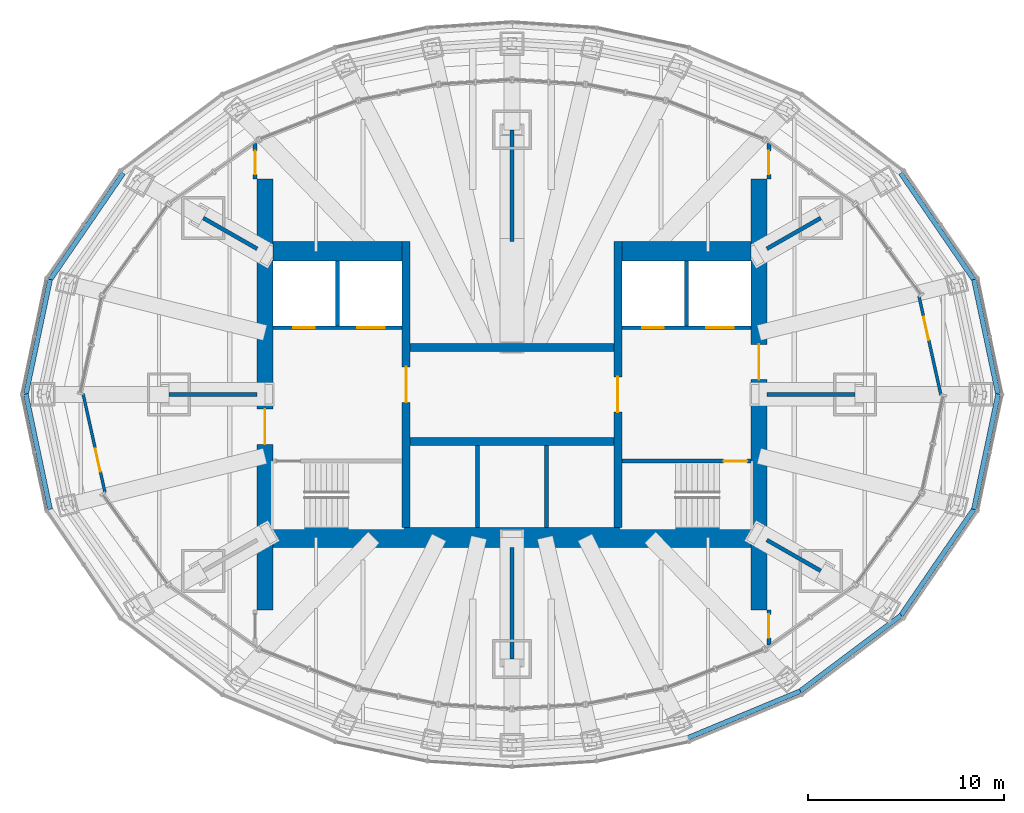
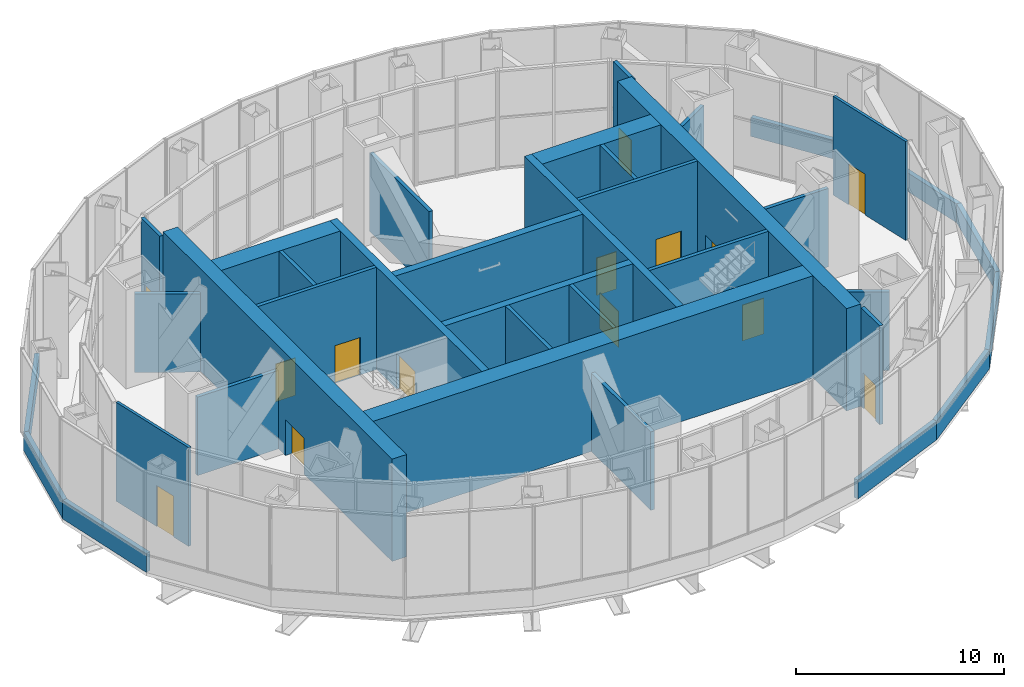
# One storey, part 16 of 21: 37 walls, 14 doors, 14 openings.
"""IFC4 building model written with IfcOpenShell, lengths in metres."""

from ifc_helpers import new_model, si_unit, direction, frame, frame_2d, origin, place, context, subcontext, project, spatial, rectangle, extrude, material, layer, layer_set, type_object, element, fill, save


model = new_model("IFC4")

# Units and contexts
model_context = context("Model", 3, precision=1e-05, world=origin(), true_north=direction((0.0, 1.0)))
body_context = subcontext(model_context, "Body", "Model", "MODEL_VIEW")
ifc_project = project(units=[si_unit("LENGTHUNIT", "METRE"), si_unit("AREAUNIT", "SQUARE_METRE"), si_unit("VOLUMEUNIT", "CUBIC_METRE"), si_unit("PLANEANGLEUNIT", "RADIAN"), si_unit("MASSUNIT", "GRAM", prefix="KILO")], contexts=[model_context])

# Site, building, storey
site_placement = place(None, origin())
site = spatial("IfcSite", under=ifc_project, at=site_placement, CompositionType="ELEMENT")
building_placement = place(site_placement, origin())
building = spatial("IfcBuilding", under=site, at=building_placement, Name="Lantaw Convention Tower", CompositionType="ELEMENT")
storey_placement = place(building_placement, frame((0.0, 0.0, 284.39990234375)))
storey = spatial("IfcBuildingStorey", under=building, at=storey_placement, Name="L66", CompositionType="ELEMENT", Elevation=284.39990234375)

# Walls
ifc_material_1 = material(Name="Concrete C60/75", Category="concrete")
ifc_layer_1 = layer(ifc_material_1, 1.0)
ifc_layer_set_1 = layer_set([ifc_layer_1], Name="Core wall 1000")
wall_type_1 = type_object("IfcWallType", Name="Core wall 1000", PredefinedType="SHEAR", material=ifc_layer_set_1)
wall_1_placement = place(storey_placement, frame((-12.199951171875, -7.300048828125, 0.0), z_axis=(0.0, 0.0, 1.0), x_axis=(1.0, 0.0, 0.0)))
element("IfcWall", 1, at=wall_1_placement, inside=storey, type_object=wall_type_1, Name="Core wall S", PredefinedType="SHEAR", context=body_context, shape_type="SweptSolid", body=[
    extrude(rectangle(XDim=24.39990234375, YDim=1.0, at=frame_2d((12.199951171875, 0.0))), origin(), (0.0, 0.0, 1.0), 6.0),
])
for number, where, z_axis, x_axis, name in (
    (2, (12.199951171875, 7.300048828125, 0.0), (0.0, 0.0, 1.0), (-1.0, 0.0, 0.0), "Core wall NE"),
    (3, (-5.60009765625, 7.300048828125, 0.0), (0.0, 0.0, 1.0), (-1.0, 0.0, 0.0), "Core wall NW"),
):
    element("IfcWall", number, at=place(storey_placement, frame(where, z_axis=z_axis, x_axis=x_axis)), inside=storey, type_object=wall_type_1, Name=name, PredefinedType="SHEAR", context=body_context, shape_type="SweptSolid", body=[
        extrude(rectangle(XDim=6.599853515625, YDim=1.0, at=frame_2d((3.2998046875, 0.0))), origin(), (0.0, 0.0, 1.0), 6.0),
    ])

# Wall, opening, door
ifc_layer_2 = layer(ifc_material_1, 0.199951171875)
ifc_layer_set_2 = layer_set([ifc_layer_2], Name="Core wall 200")
wall_type_2 = type_object("IfcWallType", Name="Core wall 200", PredefinedType="SHEAR", material=ifc_layer_set_2)
wall_2_placement = place(storey_placement, frame((5.60009765625, -3.39990234375, 0.0), z_axis=(0.0, 0.0, 1.0), x_axis=(1.0, 0.0, 0.0)))
wall_2 = element("IfcWall", 4, at=wall_2_placement, inside=storey, type_object=wall_type_2, Name="Core wall ES", PredefinedType="SHEAR", context=body_context, shape_type="SweptSolid", body=[
    extrude(rectangle(XDim=6.599853515625, YDim=0.199951171875, at=frame_2d((3.2998046875, 0.0))), origin(), (0.0, 0.0, 1.0), 6.0),
])
opening_1_placement = place(wall_2_placement, frame((5.199951171875, 0.0, 0.0)))
opening_1 = element("IfcOpeningElement", 5, at=opening_1_placement, cuts=wall_2, Name="Opening L66.03", PredefinedType="OPENING", context=body_context, shape_type="SweptSolid", body=[
    extrude(rectangle(XDim=1.199951171875, YDim=2.10009765625, at=frame_2d((0.60009765625, 1.050048828125))), frame((0.0, 0.10986328125, 0.0), z_axis=(0.0, -1.0, 0.0), x_axis=(1.0, 0.0, 0.0)), (0.0, 0.0, 1.0), 0.219970703125),
])
ifc_material_2 = material(Name="Steel, fire rated", Category="steel")
door_type_1 = type_object("IfcDoorType", Name="Stair door FD90", OperationType="SINGLE_SWING_RIGHT", PredefinedType="DOOR", material=ifc_material_2)
door_1_placement = place(opening_1_placement, origin())
door_1 = element("IfcDoor", 6, at=door_1_placement, inside=storey, type_object=door_type_1, Name="Exit stair door", OperationType="SINGLE_SWING_RIGHT", OverallHeight=2.10009765625, OverallWidth=1.199951171875, PredefinedType="DOOR", context=body_context, shape_type="SweptSolid", body=[
    extrude(rectangle(XDim=1.199951171875, YDim=2.10009765625, at=frame_2d((0.60009765625, 1.050048828125))), frame((0.0, 0.02490234375, 0.0), z_axis=(0.0, -1.0, 0.0), x_axis=(1.0, 0.0, 0.0)), (0.0, 0.0, 1.0), 0.050048828125),
])
fill(opening_1, door_1)

ifc_layer_3 = layer(ifc_material_1, 0.39990234375)
ifc_layer_set_3 = layer_set([ifc_layer_3], Name="Core wall 400")
wall_type_3 = type_object("IfcWallType", Name="Core wall 400", PredefinedType="SHEAR", material=ifc_layer_set_3)
wall_3_placement = place(storey_placement, frame((5.39990234375, -6.800048828125, 0.0), z_axis=(0.0, 0.0, 1.0), x_axis=(0.0, 1.0, 0.0)))
wall_3 = element("IfcWall", 7, at=wall_3_placement, inside=storey, type_object=wall_type_3, Name="Core wall XE", PredefinedType="SHEAR", context=body_context, shape_type="SweptSolid", body=[
    extrude(rectangle(XDim=14.60009765625, YDim=0.39990234375, at=frame_2d((7.300048828125, 0.0))), origin(), (0.0, 0.0, 1.0), 6.0),
])
opening_2_placement = place(wall_3_placement, frame((5.89990234375, 0.0, 0.0)))
opening_2 = element("IfcOpeningElement", 8, at=opening_2_placement, cuts=wall_3, Name="Opening L66.01", PredefinedType="OPENING", context=body_context, shape_type="SweptSolid", body=[
    extrude(rectangle(XDim=1.800048828125, YDim=2.10009765625, at=frame_2d((0.89990234375, 1.050048828125))), frame((0.0, 0.2099609375, 0.0), z_axis=(0.0, -1.0, 0.0), x_axis=(1.0, 0.0, 0.0)), (0.0, 0.0, 1.0), 0.419921875),
])
door_type_2 = type_object("IfcDoorType", Name="Lobby double door FD90", OperationType="DOUBLE_DOOR_DOUBLE_SWING", PredefinedType="DOOR", material=ifc_material_2)
door_2_placement = place(opening_2_placement, origin())
door_2 = element("IfcDoor", 9, at=door_2_placement, inside=storey, type_object=door_type_2, Name="Lift lobby door", OperationType="DOUBLE_DOOR_DOUBLE_SWING", OverallHeight=2.10009765625, OverallWidth=1.800048828125, PredefinedType="DOOR", context=body_context, shape_type="SweptSolid", body=[
    extrude(rectangle(XDim=1.800048828125, YDim=2.10009765625, at=frame_2d((0.89990234375, 1.050048828125))), frame((0.0, 0.02490234375, 0.0), z_axis=(0.0, -1.0, 0.0), x_axis=(1.0, 0.0, 0.0)), (0.0, 0.0, 1.0), 0.050048828125),
])
fill(opening_2, door_2)

wall_4_placement = place(storey_placement, frame((-5.39990234375, 7.800048828125, 0.0), z_axis=(0.0, 0.0, 1.0), x_axis=(0.0, -1.0, 0.0)))
wall_4 = element("IfcWall", 10, at=wall_4_placement, inside=storey, type_object=wall_type_3, Name="Core wall XW", PredefinedType="SHEAR", context=body_context, shape_type="SweptSolid", body=[
    extrude(rectangle(XDim=14.60009765625, YDim=0.39990234375, at=frame_2d((7.300048828125, 0.0))), origin(), (0.0, 0.0, 1.0), 6.0),
])
opening_3_placement = place(wall_4_placement, frame((6.39990234375, 0.0, 0.0)))
opening_3 = element("IfcOpeningElement", 11, at=opening_3_placement, cuts=wall_4, Name="Opening L66.02", PredefinedType="OPENING", context=body_context, shape_type="SweptSolid", body=[
    extrude(rectangle(XDim=1.800048828125, YDim=2.10009765625, at=frame_2d((0.89990234375, 1.050048828125))), frame((0.0, 0.2099609375, 0.0), z_axis=(0.0, -1.0, 0.0), x_axis=(1.0, 0.0, 0.0)), (0.0, 0.0, 1.0), 0.419921875),
])
door_3_placement = place(opening_3_placement, origin())
door_3 = element("IfcDoor", 12, at=door_3_placement, inside=storey, type_object=door_type_2, Name="Lift lobby door", OperationType="DOUBLE_DOOR_DOUBLE_SWING", OverallHeight=2.10009765625, OverallWidth=1.800048828125, PredefinedType="DOOR", context=body_context, shape_type="SweptSolid", body=[
    extrude(rectangle(XDim=1.800048828125, YDim=2.10009765625, at=frame_2d((0.89990234375, 1.050048828125))), frame((0.0, 0.02490234375, 0.0), z_axis=(0.0, -1.0, 0.0), x_axis=(1.0, 0.0, 0.0)), (0.0, 0.0, 1.0), 0.050048828125),
])
fill(opening_3, door_3)

# Walls
for number, where, z_axis, x_axis, name in (
    (13, (-5.199951171875, -2.39990234375, 0.0), (0.0, 0.0, 1.0), (1.0, 0.0, 0.0), "Core wall BS"),
    (14, (5.199951171875, 2.39990234375, 0.0), (0.0, 0.0, 1.0), (-1.0, 0.0, 0.0), "Core wall BN"),
):
    element("IfcWall", number, at=place(storey_placement, frame(where, z_axis=z_axis, x_axis=x_axis)), inside=storey, type_object=wall_type_3, Name=name, PredefinedType="SHEAR", context=body_context, shape_type="SweptSolid", body=[
        extrude(rectangle(XDim=10.39990234375, YDim=0.39990234375, at=frame_2d((5.199951171875, 0.0))), origin(), (0.0, 0.0, 1.0), 6.0),
    ])

# Wall, opening, door
ifc_layer_4 = layer(ifc_material_1, 0.800048828125)
ifc_layer_set_4 = layer_set([ifc_layer_4], Name="Core wall 800")
wall_type_4 = type_object("IfcWallType", Name="Core wall 800", PredefinedType="SHEAR", material=ifc_layer_set_4)
wall_5_placement = place(storey_placement, frame((12.60009765625, -11.0, 0.0), z_axis=(0.0, 0.0, 1.0), x_axis=(0.0, 1.0, 0.0)))
wall_5 = element("IfcWall", 15, at=wall_5_placement, inside=storey, type_object=wall_type_4, Name="Core wall E", PredefinedType="SHEAR", context=body_context, shape_type="SweptSolid", body=[
    extrude(rectangle(XDim=22.0, YDim=0.800048828125, at=frame_2d((11.0, 0.0))), origin(), (0.0, 0.0, 1.0), 6.0),
])
opening_4_placement = place(wall_5_placement, frame((11.75, 0.0, 0.0)))
opening_4 = element("IfcOpeningElement", 16, at=opening_4_placement, cuts=wall_5, Name="Opening L66.05", PredefinedType="OPENING", context=body_context, shape_type="SweptSolid", body=[
    extrude(rectangle(XDim=1.800048828125, YDim=2.10009765625, at=frame_2d((0.89990234375, 1.050048828125))), frame((0.0, 0.409912109375, 0.0), z_axis=(0.0, -1.0, 0.0), x_axis=(1.0, 0.0, 0.0)), (0.0, 0.0, 1.0), 0.820068359375),
])
door_4_placement = place(opening_4_placement, origin())
door_4 = element("IfcDoor", 17, at=door_4_placement, inside=storey, type_object=door_type_2, Name="Firefighting lobby door", OperationType="DOUBLE_DOOR_DOUBLE_SWING", OverallHeight=2.10009765625, OverallWidth=1.800048828125, PredefinedType="DOOR", context=body_context, shape_type="SweptSolid", body=[
    extrude(rectangle(XDim=1.800048828125, YDim=2.10009765625, at=frame_2d((0.89990234375, 1.050048828125))), frame((0.0, 0.02490234375, 0.0), z_axis=(0.0, -1.0, 0.0), x_axis=(1.0, 0.0, 0.0)), (0.0, 0.0, 1.0), 0.050048828125),
])
fill(opening_4, door_4)

wall_6_placement = place(storey_placement, frame((-12.60009765625, 11.0, 0.0), z_axis=(0.0, 0.0, 1.0), x_axis=(0.0, -1.0, 0.0)))
wall_6 = element("IfcWall", 18, at=wall_6_placement, inside=storey, type_object=wall_type_4, Name="Core wall W", PredefinedType="SHEAR", context=body_context, shape_type="SweptSolid", body=[
    extrude(rectangle(XDim=22.0, YDim=0.800048828125, at=frame_2d((11.0, 0.0))), origin(), (0.0, 0.0, 1.0), 6.0),
])
opening_5_placement = place(wall_6_placement, frame((11.75, 0.0, 0.0)))
opening_5 = element("IfcOpeningElement", 19, at=opening_5_placement, cuts=wall_6, Name="Opening L66.06", PredefinedType="OPENING", context=body_context, shape_type="SweptSolid", body=[
    extrude(rectangle(XDim=1.800048828125, YDim=2.10009765625, at=frame_2d((0.89990234375, 1.050048828125))), frame((0.0, 0.409912109375, 0.0), z_axis=(0.0, -1.0, 0.0), x_axis=(1.0, 0.0, 0.0)), (0.0, 0.0, 1.0), 0.820068359375),
])
door_5_placement = place(opening_5_placement, origin())
door_5 = element("IfcDoor", 20, at=door_5_placement, inside=storey, type_object=door_type_2, Name="Firefighting lobby door", OperationType="DOUBLE_DOOR_DOUBLE_SWING", OverallHeight=2.10009765625, OverallWidth=1.800048828125, PredefinedType="DOOR", context=body_context, shape_type="SweptSolid", body=[
    extrude(rectangle(XDim=1.800048828125, YDim=2.10009765625, at=frame_2d((0.89990234375, 1.050048828125))), frame((0.0, 0.02490234375, 0.0), z_axis=(0.0, -1.0, 0.0), x_axis=(1.0, 0.0, 0.0)), (0.0, 0.0, 1.0), 0.050048828125),
])
fill(opening_5, door_5)

ifc_material_3 = material(Name="Aluminium framed glazing", Category="aluminium")
ifc_layer_5 = layer(ifc_material_3, 0.14990234375)
ifc_layer_set_5 = layer_set([ifc_layer_5], Name="Glazed entrance screen 150")
wall_type_5 = type_object("IfcWallType", Name="Glazed entrance screen 150", PredefinedType="ELEMENTEDWALL", material=ifc_layer_set_5)
wall_7_placement = place(storey_placement, frame((21.88037109375, -0.032470703125, 0.0), z_axis=(0.0, 0.0, 1.0), x_axis=(-0.216770090684, 0.976222683503, 0.0)))
wall_7 = element("IfcWall", 21, at=wall_7_placement, inside=storey, type_object=wall_type_5, Name="Glazed entrance screen", PredefinedType="ELEMENTEDWALL", context=body_context, shape_type="SweptSolid", body=[
    extrude(rectangle(XDim=5.158203125, YDim=0.14990234375, at=frame_2d((2.5791015625, 0.0))), origin(), (0.0, 0.0, 1.0), 5.800048828125),
])
opening_6_placement = place(wall_7_placement, frame((2.879150390625, 0.0, 0.0)))
opening_6 = element("IfcOpeningElement", 22, at=opening_6_placement, cuts=wall_7, Name="Opening L66.E00", PredefinedType="OPENING", context=body_context, shape_type="SweptSolid", body=[
    extrude(rectangle(XDim=1.199951171875, YDim=2.39990234375, at=frame_2d((0.60009765625, 1.199951171875))), frame((0.0, 0.0849609375, 0.0), z_axis=(0.0, -1.0, 0.0), x_axis=(1.0, 0.0, 0.0)), (0.0, 0.0, 1.0), 0.169921875),
])
ifc_material_4 = material(Name="Aluminium and glass", Category="aluminium")
door_type_3 = type_object("IfcDoorType", Name="Ledge maintenance door 1200", OperationType="DOUBLE_DOOR_DOUBLE_SWING", PredefinedType="DOOR", material=ifc_material_4)
door_6_placement = place(opening_6_placement, origin())
door_6 = element("IfcDoor", 23, at=door_6_placement, inside=storey, type_object=door_type_3, Name="Ledge maintenance access door", OperationType="DOUBLE_DOOR_DOUBLE_SWING", OverallHeight=2.39990234375, OverallWidth=1.199951171875, PredefinedType="DOOR", context=body_context, shape_type="SweptSolid", body=[
    extrude(rectangle(XDim=1.199951171875, YDim=2.39990234375, at=frame_2d((0.60009765625, 1.199951171875))), frame((0.0, 0.02490234375, 0.0), z_axis=(0.0, -1.0, 0.0), x_axis=(1.0, 0.0, 0.0)), (0.0, 0.0, 1.0), 0.050048828125),
])
fill(opening_6, door_6)

wall_8_placement = place(storey_placement, frame((-21.88037109375, 0.032470703125, 0.0), z_axis=(0.0, 0.0, 1.0), x_axis=(0.216770090684, -0.976222683503, 0.0)))
wall_8 = element("IfcWall", 24, at=wall_8_placement, inside=storey, type_object=wall_type_5, Name="Glazed entrance screen", PredefinedType="ELEMENTEDWALL", context=body_context, shape_type="SweptSolid", body=[
    extrude(rectangle(XDim=5.158203125, YDim=0.14990234375, at=frame_2d((2.5791015625, 0.0))), origin(), (0.0, 0.0, 1.0), 5.800048828125),
])
opening_7_placement = place(wall_8_placement, frame((2.879150390625, 0.0, 0.0)))
opening_7 = element("IfcOpeningElement", 25, at=opening_7_placement, cuts=wall_8, Name="Opening L66.E12", PredefinedType="OPENING", context=body_context, shape_type="SweptSolid", body=[
    extrude(rectangle(XDim=1.199951171875, YDim=2.39990234375, at=frame_2d((0.60009765625, 1.199951171875))), frame((0.0, 0.0849609375, 0.0), z_axis=(0.0, -1.0, 0.0), x_axis=(1.0, 0.0, 0.0)), (0.0, 0.0, 1.0), 0.169921875),
])
door_7_placement = place(opening_7_placement, origin())
door_7 = element("IfcDoor", 26, at=door_7_placement, inside=storey, type_object=door_type_3, Name="Ledge maintenance access door", OperationType="DOUBLE_DOOR_DOUBLE_SWING", OverallHeight=2.39990234375, OverallWidth=1.199951171875, PredefinedType="DOOR", context=body_context, shape_type="SweptSolid", body=[
    extrude(rectangle(XDim=1.199951171875, YDim=2.39990234375, at=frame_2d((0.60009765625, 1.199951171875))), frame((0.0, 0.02490234375, 0.0), z_axis=(0.0, -1.0, 0.0), x_axis=(1.0, 0.0, 0.0)), (0.0, 0.0, 1.0), 0.050048828125),
])
fill(opening_7, door_7)

# Walls
ifc_material_5 = material(Name="Concrete C35/45 with aluminium coping", Category="concrete")
ifc_layer_6 = layer(ifc_material_5, 0.25)
ifc_layer_set_6 = layer_set([ifc_layer_6], Name="Parapet 250")
wall_type_6 = type_object("IfcWallType", Name="Parapet 250", PredefinedType="PARAPET", material=ifc_layer_set_6)
wall_9_placement = place(storey_placement, frame((24.7998046875, -0.01953125, 0.0), z_axis=(0.0, 0.0, 1.0), x_axis=(-0.2058241832, 0.978588987068, 0.0)))
element("IfcWall", 27, at=wall_9_placement, inside=storey, type_object=wall_type_6, Name="Ledge parapet", PredefinedType="PARAPET", context=body_context, shape_type="SweptSolid", body=[
    extrude(rectangle(XDim=6.01025390625, YDim=0.25, at=frame_2d((3.005126953125, 0.0))), origin(), (0.0, 0.0, 1.0), 1.10009765625),
])
for number, where, z_axis, x_axis, name in (
    (28, (23.578125, 5.825927734375, 0.0), (0.0, 0.0, 1.0), (-0.565946016037, 0.824442300547, 0.0), "Ledge parapet"),
    (29, (-19.82421875, 11.29443359375, 0.0), (0.0, 0.0, 1.0), (-0.565946016037, -0.824442300547, 0.0), "Ledge parapet"),
):
    element("IfcWall", number, at=place(storey_placement, frame(where, z_axis=z_axis, x_axis=x_axis)), inside=storey, type_object=wall_type_6, Name=name, PredefinedType="PARAPET", context=body_context, shape_type="SweptSolid", body=[
        extrude(rectangle(XDim=6.633056640625, YDim=0.25, at=frame_2d((3.31640625, 0.0))), origin(), (0.0, 0.0, 1.0), 1.10009765625),
    ])
for number, where, z_axis, x_axis, name in (
    (30, (-23.562744140625, 5.862060546875, 0.0), (0.0, 0.0, 1.0), (-0.2058241832, -0.978588987068, 0.0), "Ledge parapet"),
    (31, (-24.7998046875, 0.01953125, 0.0), (0.0, 0.0, 1.0), (0.2058241832, -0.978588987068, 0.0), "Ledge parapet"),
):
    element("IfcWall", number, at=place(storey_placement, frame(where, z_axis=z_axis, x_axis=x_axis)), inside=storey, type_object=wall_type_6, Name=name, PredefinedType="PARAPET", context=body_context, shape_type="SweptSolid", body=[
        extrude(rectangle(XDim=6.01025390625, YDim=0.25, at=frame_2d((3.005126953125, 0.0))), origin(), (0.0, 0.0, 1.0), 1.10009765625),
    ])
wall_10_placement = place(storey_placement, frame((8.94970703125, -17.533935546875, 0.0), z_axis=(0.0, 0.0, 1.0), x_axis=(0.923135945789, 0.384473699481, 0.0)))
element("IfcWall", 32, at=wall_10_placement, inside=storey, type_object=wall_type_6, Name="Ledge parapet", PredefinedType="PARAPET", context=body_context, shape_type="SweptSolid", body=[
    extrude(rectangle(XDim=6.240234375, YDim=0.25, at=frame_2d((3.1201171875, 0.0))), origin(), (0.0, 0.0, 1.0), 1.10009765625),
])
wall_11_placement = place(storey_placement, frame((14.67578125, -15.154296875, 0.0), z_axis=(0.0, 0.0, 1.0), x_axis=(0.799529087679, 0.600627370301, 0.0)))
element("IfcWall", 33, at=wall_11_placement, inside=storey, type_object=wall_type_6, Name="Ledge parapet", PredefinedType="PARAPET", context=body_context, shape_type="SweptSolid", body=[
    extrude(rectangle(XDim=6.4736328125, YDim=0.25, at=frame_2d((3.23681640625, 0.0))), origin(), (0.0, 0.0, 1.0), 1.10009765625),
])
wall_12_placement = place(storey_placement, frame((19.82421875, -11.29443359375, 0.0), z_axis=(0.0, 0.0, 1.0), x_axis=(0.565946016037, 0.824442300547, 0.0)))
element("IfcWall", 34, at=wall_12_placement, inside=storey, type_object=wall_type_6, Name="Ledge parapet", PredefinedType="PARAPET", context=body_context, shape_type="SweptSolid", body=[
    extrude(rectangle(XDim=6.633056640625, YDim=0.25, at=frame_2d((3.31640625, 0.0))), origin(), (0.0, 0.0, 1.0), 1.10009765625),
])
wall_13_placement = place(storey_placement, frame((23.562744140625, -5.862060546875, 0.0), z_axis=(0.0, 0.0, 1.0), x_axis=(0.2058241832, 0.978588987068, 0.0)))
element("IfcWall", 35, at=wall_13_placement, inside=storey, type_object=wall_type_6, Name="Ledge parapet", PredefinedType="PARAPET", context=body_context, shape_type="SweptSolid", body=[
    extrude(rectangle(XDim=6.01025390625, YDim=0.25, at=frame_2d((3.005126953125, 0.0))), origin(), (0.0, 0.0, 1.0), 1.10009765625),
])

# Wall, opening, door
ifc_material_6 = material(Name="Concrete blockwork, fire rated", Category="masonry")
ifc_layer_7 = layer(ifc_material_6, 0.199951171875)
ifc_layer_set_7 = layer_set([ifc_layer_7], Name="Plant room wall 200 EI 120")
wall_type_7 = type_object("IfcWallType", Name="Plant room wall 200 EI 120", PredefinedType="SOLIDWALL", material=ifc_layer_set_7)
wall_14_placement = place(storey_placement, frame((-13.10009765625, 11.0, 0.0), z_axis=(0.0, 0.0, 1.0), x_axis=(0.0, 1.0, 0.0)))
wall_14 = element("IfcWall", 36, at=wall_14_placement, inside=storey, type_object=wall_type_7, Name="Plant room wall 200", PredefinedType="SOLIDWALL", context=body_context, shape_type="SweptSolid", body=[
    extrude(rectangle(XDim=1.79443359375, YDim=0.199951171875, at=frame_2d((0.897216796875, 0.0))), origin(), (0.0, 0.0, 1.0), 5.800048828125),
])
opening_8_placement = place(wall_14_placement, frame((0.22119140625, 0.0, 0.0)))
opening_8 = element("IfcOpeningElement", 37, at=opening_8_placement, cuts=wall_14, Name="Opening L66.12", PredefinedType="OPENING", context=body_context, shape_type="SweptSolid", body=[
    extrude(rectangle(XDim=1.199951171875, YDim=2.10009765625, at=frame_2d((0.60009765625, 1.050048828125))), frame((0.0, 0.10986328125, 0.0), z_axis=(0.0, -1.0, 0.0), x_axis=(1.0, 0.0, 0.0)), (0.0, 0.0, 1.0), 0.219970703125),
])
door_type_4 = type_object("IfcDoorType", Name="Plant room single door FD90", OperationType="SINGLE_SWING_LEFT", PredefinedType="DOOR", material=ifc_material_2)
door_8_placement = place(opening_8_placement, origin())
door_8 = element("IfcDoor", 38, at=door_8_placement, inside=storey, type_object=door_type_4, Name="Plant room door", OperationType="SINGLE_SWING_LEFT", OverallHeight=2.10009765625, OverallWidth=1.199951171875, PredefinedType="DOOR", context=body_context, shape_type="SweptSolid", body=[
    extrude(rectangle(XDim=1.199951171875, YDim=2.10009765625, at=frame_2d((0.60009765625, 1.050048828125))), frame((0.0, 0.02490234375, 0.0), z_axis=(0.0, -1.0, 0.0), x_axis=(1.0, 0.0, 0.0)), (0.0, 0.0, 1.0), 0.050048828125),
])
fill(opening_8, door_8)

wall_15_placement = place(storey_placement, frame((13.10009765625, -11.0, 0.0), z_axis=(0.0, 0.0, 1.0), x_axis=(0.0, -1.0, 0.0)))
wall_15 = element("IfcWall", 39, at=wall_15_placement, inside=storey, type_object=wall_type_7, Name="Plant room wall 200", PredefinedType="SOLIDWALL", context=body_context, shape_type="SweptSolid", body=[
    extrude(rectangle(XDim=1.79443359375, YDim=0.199951171875, at=frame_2d((0.897216796875, 0.0))), origin(), (0.0, 0.0, 1.0), 5.800048828125),
])
opening_9_placement = place(wall_15_placement, frame((0.22119140625, 0.0, 0.0)))
opening_9 = element("IfcOpeningElement", 40, at=opening_9_placement, cuts=wall_15, Name="Opening L66.13", PredefinedType="OPENING", context=body_context, shape_type="SweptSolid", body=[
    extrude(rectangle(XDim=1.199951171875, YDim=2.10009765625, at=frame_2d((0.60009765625, 1.050048828125))), frame((0.0, 0.10986328125, 0.0), z_axis=(0.0, -1.0, 0.0), x_axis=(1.0, 0.0, 0.0)), (0.0, 0.0, 1.0), 0.219970703125),
])
door_9_placement = place(opening_9_placement, origin())
door_9 = element("IfcDoor", 41, at=door_9_placement, inside=storey, type_object=door_type_4, Name="Plant room door", OperationType="SINGLE_SWING_LEFT", OverallHeight=2.10009765625, OverallWidth=1.199951171875, PredefinedType="DOOR", context=body_context, shape_type="SweptSolid", body=[
    extrude(rectangle(XDim=1.199951171875, YDim=2.10009765625, at=frame_2d((0.60009765625, 1.050048828125))), frame((0.0, 0.02490234375, 0.0), z_axis=(0.0, -1.0, 0.0), x_axis=(1.0, 0.0, 0.0)), (0.0, 0.0, 1.0), 0.050048828125),
])
fill(opening_9, door_9)

wall_16_placement = place(storey_placement, frame((13.10009765625, 11.0, 0.0), z_axis=(0.0, 0.0, 1.0), x_axis=(0.0, 1.0, 0.0)))
wall_16 = element("IfcWall", 42, at=wall_16_placement, inside=storey, type_object=wall_type_7, Name="Plant room wall 200", PredefinedType="SOLIDWALL", context=body_context, shape_type="SweptSolid", body=[
    extrude(rectangle(XDim=1.79443359375, YDim=0.199951171875, at=frame_2d((0.897216796875, 0.0))), origin(), (0.0, 0.0, 1.0), 5.800048828125),
])
opening_10_placement = place(wall_16_placement, frame((0.22119140625, 0.0, 0.0)))
opening_10 = element("IfcOpeningElement", 43, at=opening_10_placement, cuts=wall_16, Name="Opening L66.14", PredefinedType="OPENING", context=body_context, shape_type="SweptSolid", body=[
    extrude(rectangle(XDim=1.199951171875, YDim=2.10009765625, at=frame_2d((0.60009765625, 1.050048828125))), frame((0.0, 0.10986328125, 0.0), z_axis=(0.0, -1.0, 0.0), x_axis=(1.0, 0.0, 0.0)), (0.0, 0.0, 1.0), 0.219970703125),
])
door_10_placement = place(opening_10_placement, origin())
door_10 = element("IfcDoor", 44, at=door_10_placement, inside=storey, type_object=door_type_4, Name="Plant room door", OperationType="SINGLE_SWING_LEFT", OverallHeight=2.10009765625, OverallWidth=1.199951171875, PredefinedType="DOOR", context=body_context, shape_type="SweptSolid", body=[
    extrude(rectangle(XDim=1.199951171875, YDim=2.10009765625, at=frame_2d((0.60009765625, 1.050048828125))), frame((0.0, 0.02490234375, 0.0), z_axis=(0.0, -1.0, 0.0), x_axis=(1.0, 0.0, 0.0)), (0.0, 0.0, 1.0), 0.050048828125),
])
fill(opening_10, door_10)

# Walls
wall_17_placement = place(storey_placement, frame((13.0, 0.0, 0.0), z_axis=(0.0, 0.0, 1.0), x_axis=(1.0, 0.0, 0.0)))
element("IfcWall", 45, at=wall_17_placement, inside=storey, type_object=wall_type_7, Name="Plant room wall 200", PredefinedType="SOLIDWALL", context=body_context, shape_type="SweptSolid", body=[
    extrude(rectangle(XDim=4.5, YDim=0.199951171875, at=frame_2d((2.25, 0.0))), origin(), (0.0, 0.0, 1.0), 4.60009765625),
])
wall_18_placement = place(storey_placement, frame((13.0, 7.428466796875, 0.0), z_axis=(0.0, 0.0, 1.0), x_axis=(0.868228911617, 0.496163840916, 0.0)))
element("IfcWall", 46, at=wall_18_placement, inside=storey, type_object=wall_type_7, Name="Plant room wall 200", PredefinedType="SOLIDWALL", context=body_context, shape_type="SweptSolid", body=[
    extrude(rectangle(XDim=3.16748046875, YDim=0.199951171875, at=frame_2d((1.583740234375, 0.0))), origin(), (0.0, 0.0, 1.0), 4.60009765625),
])
wall_19_placement = place(storey_placement, frame((0.0, 7.800048828125, 0.0), z_axis=(0.0, 0.0, 1.0), x_axis=(0.0, 1.0, 0.0)))
element("IfcWall", 47, at=wall_19_placement, inside=storey, type_object=wall_type_7, Name="Plant room wall 200", PredefinedType="SOLIDWALL", context=body_context, shape_type="SweptSolid", body=[
    extrude(rectangle(XDim=5.699951171875, YDim=0.199951171875, at=frame_2d((2.85009765625, 0.0))), origin(), (0.0, 0.0, 1.0), 4.60009765625),
])
wall_20_placement = place(storey_placement, frame((-13.0, 7.428466796875, 0.0), z_axis=(0.0, 0.0, 1.0), x_axis=(-0.868228911617, 0.496163840916, 0.0)))
element("IfcWall", 48, at=wall_20_placement, inside=storey, type_object=wall_type_7, Name="Plant room wall 200", PredefinedType="SOLIDWALL", context=body_context, shape_type="SweptSolid", body=[
    extrude(rectangle(XDim=3.16748046875, YDim=0.199951171875, at=frame_2d((1.583740234375, 0.0))), origin(), (0.0, 0.0, 1.0), 4.60009765625),
])
wall_21_placement = place(storey_placement, frame((-13.0, 0.0, 0.0), z_axis=(0.0, 0.0, 1.0), x_axis=(-1.0, 0.0, 0.0)))
element("IfcWall", 49, at=wall_21_placement, inside=storey, type_object=wall_type_7, Name="Plant room wall 200", PredefinedType="SOLIDWALL", context=body_context, shape_type="SweptSolid", body=[
    extrude(rectangle(XDim=4.5, YDim=0.199951171875, at=frame_2d((2.25, 0.0))), origin(), (0.0, 0.0, 1.0), 4.60009765625),
])
wall_22_placement = place(storey_placement, frame((0.0, -7.800048828125, 0.0), z_axis=(0.0, 0.0, 1.0), x_axis=(0.0, -1.0, 0.0)))
element("IfcWall", 50, at=wall_22_placement, inside=storey, type_object=wall_type_7, Name="Plant room wall 200", PredefinedType="SOLIDWALL", context=body_context, shape_type="SweptSolid", body=[
    extrude(rectangle(XDim=5.699951171875, YDim=0.199951171875, at=frame_2d((2.85009765625, 0.0))), origin(), (0.0, 0.0, 1.0), 4.60009765625),
])
wall_23_placement = place(storey_placement, frame((13.0, -7.428466796875, 0.0), z_axis=(0.0, 0.0, 1.0), x_axis=(0.868228911617, -0.496163840916, 0.0)))
element("IfcWall", 51, at=wall_23_placement, inside=storey, type_object=wall_type_7, Name="Plant room wall 200", PredefinedType="SOLIDWALL", context=body_context, shape_type="SweptSolid", body=[
    extrude(rectangle(XDim=3.16748046875, YDim=0.199951171875, at=frame_2d((1.583740234375, 0.0))), origin(), (0.0, 0.0, 1.0), 4.60009765625),
])

# Wall, openings, doors
ifc_layer_8 = layer(ifc_material_6, 0.199951171875)
ifc_layer_set_8 = layer_set([ifc_layer_8], Name="Shaft wall 200")
wall_type_8 = type_object("IfcWallType", Name="Shaft wall 200", PredefinedType="SOLIDWALL", material=ifc_layer_set_8)
wall_24_placement = place(storey_placement, frame((12.199951171875, 3.39990234375, 0.0), z_axis=(0.0, 0.0, 1.0), x_axis=(-1.0, 0.0, 0.0)))
wall_24 = element("IfcWall", 52, at=wall_24_placement, inside=storey, type_object=wall_type_8, Name="Shaft wall EN", PredefinedType="SOLIDWALL", context=body_context, shape_type="SweptSolid", body=[
    extrude(rectangle(XDim=6.599853515625, YDim=0.199951171875, at=frame_2d((3.2998046875, 0.0))), origin(), (0.0, 0.0, 1.0), 6.0),
])
opening_11_placement = place(wall_24_placement, frame((4.449951171875, 0.0, 0.0)))
opening_11 = element("IfcOpeningElement", 53, at=opening_11_placement, cuts=wall_24, Name="Opening L66.09", PredefinedType="OPENING", context=body_context, shape_type="SweptSolid", body=[
    extrude(rectangle(XDim=1.10009765625, YDim=2.199951171875, at=frame_2d((0.550048828125, 1.10009765625))), frame((0.0, 0.10986328125, 0.0), z_axis=(0.0, -1.0, 0.0), x_axis=(1.0, 0.0, 0.0)), (0.0, 0.0, 1.0), 0.219970703125),
])
opening_12_placement = place(wall_24_placement, frame((0.89990234375, 0.0, 0.0)))
opening_12 = element("IfcOpeningElement", 54, at=opening_12_placement, cuts=wall_24, Name="Opening L66.10", PredefinedType="OPENING", context=body_context, shape_type="SweptSolid", body=[
    extrude(rectangle(XDim=1.39990234375, YDim=2.199951171875, at=frame_2d((0.699951171875, 1.10009765625))), frame((0.0, 0.10986328125, 0.0), z_axis=(0.0, -1.0, 0.0), x_axis=(1.0, 0.0, 0.0)), (0.0, 0.0, 1.0), 0.219970703125),
])
ifc_material_7 = material(Name="Stainless steel", Category="steel")
door_type_5 = type_object("IfcDoorType", Name="Lift landing door 1100", OperationType="DOUBLE_DOOR_SLIDING", PredefinedType="DOOR", material=ifc_material_7)
door_11_placement = place(opening_11_placement, origin())
door_11 = element("IfcDoor", 55, at=door_11_placement, inside=storey, type_object=door_type_5, Name="Lift landing door FF2", OperationType="DOUBLE_DOOR_SLIDING", OverallHeight=2.199951171875, OverallWidth=1.10009765625, PredefinedType="DOOR", context=body_context, shape_type="SweptSolid", body=[
    extrude(rectangle(XDim=1.10009765625, YDim=2.199951171875, at=frame_2d((0.550048828125, 1.10009765625))), frame((0.0, 0.02490234375, 0.0), z_axis=(0.0, -1.0, 0.0), x_axis=(1.0, 0.0, 0.0)), (0.0, 0.0, 1.0), 0.050048828125),
])
fill(opening_11, door_11)
door_type_6 = type_object("IfcDoorType", Name="Lift landing door 1400", OperationType="DOUBLE_DOOR_SLIDING", PredefinedType="DOOR", material=ifc_material_7)
door_12_placement = place(opening_12_placement, origin())
door_12 = element("IfcDoor", 56, at=door_12_placement, inside=storey, type_object=door_type_6, Name="Lift landing door SV2", OperationType="DOUBLE_DOOR_SLIDING", OverallHeight=2.199951171875, OverallWidth=1.39990234375, PredefinedType="DOOR", context=body_context, shape_type="SweptSolid", body=[
    extrude(rectangle(XDim=1.39990234375, YDim=2.199951171875, at=frame_2d((0.699951171875, 1.10009765625))), frame((0.0, 0.02490234375, 0.0), z_axis=(0.0, -1.0, 0.0), x_axis=(1.0, 0.0, 0.0)), (0.0, 0.0, 1.0), 0.050048828125),
])
fill(opening_12, door_12)

# Wall
wall_25_placement = place(storey_placement, frame((8.89990234375, 3.5, 0.0), z_axis=(0.0, 0.0, 1.0), x_axis=(0.0, 1.0, 0.0)))
element("IfcWall", 57, at=wall_25_placement, inside=storey, type_object=wall_type_8, Name="Shaft wall ED", PredefinedType="SOLIDWALL", context=body_context, shape_type="SweptSolid", body=[
    extrude(rectangle(XDim=3.300048828125, YDim=0.199951171875, at=frame_2d((1.64990234375, 0.0))), origin(), (0.0, 0.0, 1.0), 6.0),
])

# Wall, openings, doors
wall_26_placement = place(storey_placement, frame((-12.199951171875, 3.39990234375, 0.0), z_axis=(0.0, 0.0, 1.0), x_axis=(1.0, 0.0, 0.0)))
wall_26 = element("IfcWall", 58, at=wall_26_placement, inside=storey, type_object=wall_type_8, Name="Shaft wall WN", PredefinedType="SOLIDWALL", context=body_context, shape_type="SweptSolid", body=[
    extrude(rectangle(XDim=6.599853515625, YDim=0.199951171875, at=frame_2d((3.2998046875, 0.0))), origin(), (0.0, 0.0, 1.0), 6.0),
])
opening_13_placement = place(wall_26_placement, frame((1.050048828125, 0.0, 0.0)))
opening_13 = element("IfcOpeningElement", 59, at=opening_13_placement, cuts=wall_26, Name="Opening L66.07", PredefinedType="OPENING", context=body_context, shape_type="SweptSolid", body=[
    extrude(rectangle(XDim=1.10009765625, YDim=2.199951171875, at=frame_2d((0.550048828125, 1.10009765625))), frame((0.0, 0.10986328125, 0.0), z_axis=(0.0, -1.0, 0.0), x_axis=(1.0, 0.0, 0.0)), (0.0, 0.0, 1.0), 0.219970703125),
])
opening_14_placement = place(wall_26_placement, frame((4.300048828125, 0.0, 0.0)))
opening_14 = element("IfcOpeningElement", 60, at=opening_14_placement, cuts=wall_26, Name="Opening L66.08", PredefinedType="OPENING", context=body_context, shape_type="SweptSolid", body=[
    extrude(rectangle(XDim=1.39990234375, YDim=2.199951171875, at=frame_2d((0.699951171875, 1.10009765625))), frame((0.0, 0.10986328125, 0.0), z_axis=(0.0, -1.0, 0.0), x_axis=(1.0, 0.0, 0.0)), (0.0, 0.0, 1.0), 0.219970703125),
])
door_13_placement = place(opening_13_placement, origin())
door_13 = element("IfcDoor", 61, at=door_13_placement, inside=storey, type_object=door_type_5, Name="Lift landing door FF1", OperationType="DOUBLE_DOOR_SLIDING", OverallHeight=2.199951171875, OverallWidth=1.10009765625, PredefinedType="DOOR", context=body_context, shape_type="SweptSolid", body=[
    extrude(rectangle(XDim=1.10009765625, YDim=2.199951171875, at=frame_2d((0.550048828125, 1.10009765625))), frame((0.0, 0.02490234375, 0.0), z_axis=(0.0, -1.0, 0.0), x_axis=(1.0, 0.0, 0.0)), (0.0, 0.0, 1.0), 0.050048828125),
])
fill(opening_13, door_13)
door_14_placement = place(opening_14_placement, origin())
door_14 = element("IfcDoor", 62, at=door_14_placement, inside=storey, type_object=door_type_6, Name="Lift landing door SV1", OperationType="DOUBLE_DOOR_SLIDING", OverallHeight=2.199951171875, OverallWidth=1.39990234375, PredefinedType="DOOR", context=body_context, shape_type="SweptSolid", body=[
    extrude(rectangle(XDim=1.39990234375, YDim=2.199951171875, at=frame_2d((0.699951171875, 1.10009765625))), frame((0.0, 0.02490234375, 0.0), z_axis=(0.0, -1.0, 0.0), x_axis=(1.0, 0.0, 0.0)), (0.0, 0.0, 1.0), 0.050048828125),
])
fill(opening_14, door_14)

# Walls
wall_27_placement = place(storey_placement, frame((-8.89990234375, 3.5, 0.0), z_axis=(0.0, 0.0, 1.0), x_axis=(0.0, 1.0, 0.0)))
element("IfcWall", 63, at=wall_27_placement, inside=storey, type_object=wall_type_8, Name="Shaft wall WD", PredefinedType="SOLIDWALL", context=body_context, shape_type="SweptSolid", body=[
    extrude(rectangle(XDim=3.300048828125, YDim=0.199951171875, at=frame_2d((1.64990234375, 0.0))), origin(), (0.0, 0.0, 1.0), 6.0),
])
ifc_layer_9 = layer(ifc_material_6, 0.199951171875)
ifc_layer_set_9 = layer_set([ifc_layer_9], Name="Shaft wall 200 load-bearing")
wall_type_9 = type_object("IfcWallType", Name="Shaft wall 200 load-bearing", PredefinedType="SOLIDWALL", material=ifc_layer_set_9)
for number, where, z_axis, x_axis, name in (
    (64, (-1.7666015625, -2.60009765625, 0.0), (0.0, 0.0, 1.0), (0.0, -1.0, 0.0), "Shaft wall DS1"),
    (65, (1.7666015625, -2.60009765625, 0.0), (0.0, 0.0, 1.0), (0.0, -1.0, 0.0), "Shaft wall DS2"),
):
    element("IfcWall", number, at=place(storey_placement, frame(where, z_axis=z_axis, x_axis=x_axis)), inside=storey, type_object=wall_type_9, Name=name, PredefinedType="SOLIDWALL", context=body_context, shape_type="SweptSolid", body=[
        extrude(rectangle(XDim=4.199951171875, YDim=0.199951171875, at=frame_2d((2.10009765625, 0.0))), origin(), (0.0, 0.0, 1.0), 6.0),
    ])

save(model, "model.ifc")
